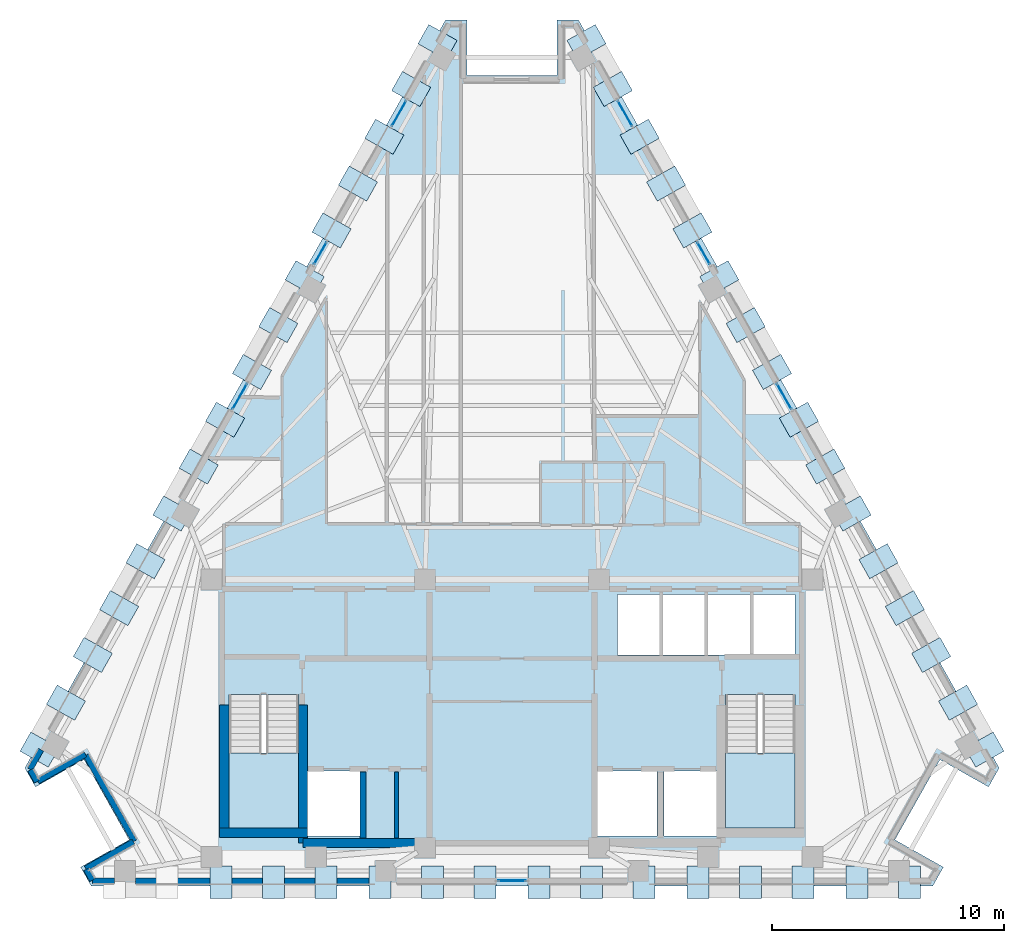
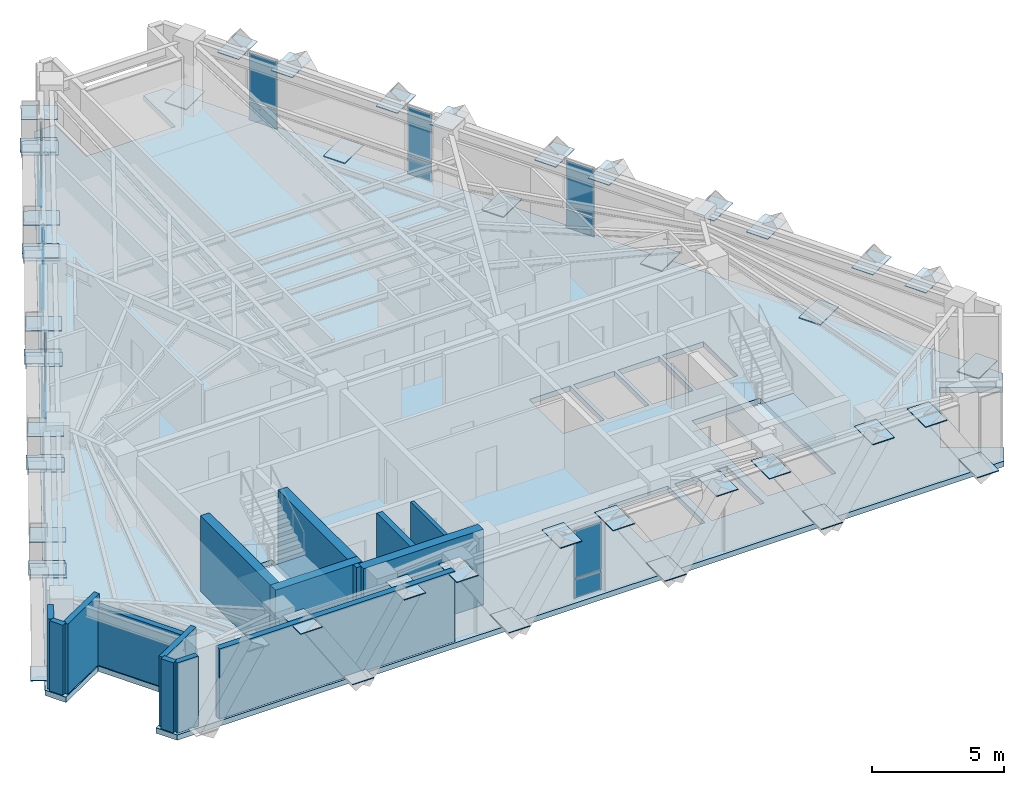
# One storey, part 6 of 12: 60 plates, 14 walls, 3 slabs, 9 elements without a shape of their own.
"""IFC4 building model written with IfcOpenShell, lengths in metres."""

from ifc_helpers import new_model, si_unit, direction, frame, frame_2d, origin, origin_2d, place, context, subcontext, project, spatial, polyline, rectangle, outline, extrude, material, layer, layer_set, type_object, element, aggregate, save


model = new_model("IFC4")

# Units and contexts
model_context = context("Model", 3, precision=1e-05, world=origin(), true_north=direction((0.0, 1.0)))
body_context = subcontext(model_context, "Body", "Model", "MODEL_VIEW")
ifc_project = project(units=[si_unit("LENGTHUNIT", "METRE"), si_unit("AREAUNIT", "SQUARE_METRE"), si_unit("VOLUMEUNIT", "CUBIC_METRE"), si_unit("PLANEANGLEUNIT", "RADIAN"), si_unit("MASSUNIT", "GRAM", prefix="KILO")], contexts=[model_context])

# Site, building, storey
site_placement = place(None, origin())
site = spatial("IfcSite", under=ifc_project, at=site_placement, CompositionType="ELEMENT")
building_placement = place(site_placement, origin())
building = spatial("IfcBuilding", under=site, at=building_placement, Name="Quenlor Broadcast Tower", CompositionType="ELEMENT")
storey_placement = place(building_placement, frame((0.0, 0.0, 190.39990234375)))
storey = spatial("IfcBuildingStorey", under=building, at=storey_placement, Name="L52", CompositionType="ELEMENT", Elevation=190.39990234375)

# Curtain wall, plates
ifc_material_1 = material(Name="Architectural Terracotta and Low-E Glazing", Category="masonry")
curtain_wall_type = type_object("IfcCurtainWallType", Name="Unitised Terracotta Curtain Wall System Z4", PredefinedType="NOTDEFINED", material=ifc_material_1)
curtain_wall_1_placement = place(storey_placement, origin())
curtain_wall_1 = element("IfcCurtainWall", 1, at=curtain_wall_1_placement, inside=storey, type_object=curtain_wall_type, Name="L52 Curtain Wall CW4 (L52-S-G1)", PredefinedType="NOTDEFINED")
ifc_material_2 = material(Name="Double Glazed Low-E Solar Glass", Category="glass")
ifc_layer_1 = layer(ifc_material_2, 0.028076171875)
ifc_layer_set_1 = layer_set([ifc_layer_1], Name="CW4 Double Glazed Vision Panel 28")
plate_type_1 = type_object("IfcPlateType", Name="CW4 Double Glazed Vision Panel 28", PredefinedType="CURTAIN_PANEL", material=ifc_layer_set_1)
plate_1_placement = place(storey_placement, frame((0.0, -17.77490234375, 0.068359375), z_axis=(0.0, 0.0, 1.0), x_axis=(-1.0, 0.0, 0.0)))
plate_1 = element("IfcPlate", 2, at=plate_1_placement, type_object=plate_type_1, Name="CW4 panel 1.1", PredefinedType="CURTAIN_PANEL", context=body_context, shape_type="SweptSolid", body=[
    extrude(rectangle(XDim=1.188720703125, YDim=0.028076171875, at=origin_2d()), origin(), (0.0, 0.0, 1.0), 0.847900390625),
])
plate_2_placement = place(storey_placement, frame((0.0, -17.77490234375, 0.98388671875), z_axis=(0.0, 0.0, 1.0), x_axis=(-1.0, 0.0, 0.0)))
plate_2 = element("IfcPlate", 3, at=plate_2_placement, type_object=plate_type_1, Name="CW4 panel 1.2", PredefinedType="CURTAIN_PANEL", context=body_context, shape_type="SweptSolid", body=[
    extrude(rectangle(XDim=1.188720703125, YDim=0.028076171875, at=origin_2d()), origin(), (0.0, 0.0, 1.0), 2.197998046875),
])
aggregate(curtain_wall_1, [plate_1, plate_2])

curtain_wall_2_placement = place(storey_placement, origin())
curtain_wall_2 = element("IfcCurtainWall", 4, at=curtain_wall_2_placement, inside=storey, type_object=curtain_wall_type, Name="L52 Curtain Wall CW4 (L52-NEA-G1)", PredefinedType="NOTDEFINED")
plate_3_placement = place(storey_placement, frame((4.87060546875, 15.281982421875, 0.068359375), z_axis=(0.0, 0.0, 1.0), x_axis=(0.490288844266, -0.871560008943, 0.0)))
plate_3 = element("IfcPlate", 5, at=plate_3_placement, type_object=plate_type_1, Name="CW4 panel 1.1", PredefinedType="CURTAIN_PANEL", context=body_context, shape_type="SweptSolid", body=[
    extrude(rectangle(XDim=1.239990234375, YDim=0.028076171875, at=origin_2d()), origin(), (0.0, 0.0, 1.0), 0.847900390625),
])
plate_4_placement = place(storey_placement, frame((4.87060546875, 15.281982421875, 0.98388671875), z_axis=(0.0, 0.0, 1.0), x_axis=(0.490288844266, -0.871560008943, 0.0)))
plate_4 = element("IfcPlate", 6, at=plate_4_placement, type_object=plate_type_1, Name="CW4 panel 1.2", PredefinedType="CURTAIN_PANEL", context=body_context, shape_type="SweptSolid", body=[
    extrude(rectangle(XDim=1.239990234375, YDim=0.028076171875, at=origin_2d()), origin(), (0.0, 0.0, 1.0), 2.197998046875),
])
aggregate(curtain_wall_2, [plate_3, plate_4])

curtain_wall_3_placement = place(storey_placement, origin())
curtain_wall_3 = element("IfcCurtainWall", 7, at=curtain_wall_3_placement, inside=storey, type_object=curtain_wall_type, Name="L52 Curtain Wall CW4 (L52-NEA-G2)", PredefinedType="NOTDEFINED")
plate_5_placement = place(storey_placement, frame((8.257080078125, 9.26171875, 0.068359375), z_axis=(0.0, 0.0, 1.0), x_axis=(0.490292850918, -0.871557755022, 0.0)))
plate_5 = element("IfcPlate", 8, at=plate_5_placement, type_object=plate_type_1, Name="CW4 panel 1.1", PredefinedType="CURTAIN_PANEL", context=body_context, shape_type="SweptSolid", body=[
    extrude(rectangle(XDim=1.0654296875, YDim=0.028076171875, at=origin_2d()), origin(), (0.0, 0.0, 1.0), 0.847900390625),
])
plate_6_placement = place(storey_placement, frame((8.257080078125, 9.26171875, 0.98388671875), z_axis=(0.0, 0.0, 1.0), x_axis=(0.490292850918, -0.871557755022, 0.0)))
plate_6 = element("IfcPlate", 9, at=plate_6_placement, type_object=plate_type_1, Name="CW4 panel 1.2", PredefinedType="CURTAIN_PANEL", context=body_context, shape_type="SweptSolid", body=[
    extrude(rectangle(XDim=1.0654296875, YDim=0.028076171875, at=origin_2d()), origin(), (0.0, 0.0, 1.0), 2.197998046875),
])
aggregate(curtain_wall_3, [plate_5, plate_6])

curtain_wall_4_placement = place(storey_placement, origin())
curtain_wall_4 = element("IfcCurtainWall", 10, at=curtain_wall_4_placement, inside=storey, type_object=curtain_wall_type, Name="L52 Curtain Wall CW4 (L52-NE-G1)", PredefinedType="NOTDEFINED")
plate_7_placement = place(storey_placement, frame((11.72900390625, 3.089599609375, 0.068359375), z_axis=(0.0, 0.0, 1.0), x_axis=(0.490288844266, -0.871560008943, 0.0)))
plate_7 = element("IfcPlate", 11, at=plate_7_placement, type_object=plate_type_1, Name="CW4 panel 1.1", PredefinedType="CURTAIN_PANEL", context=body_context, shape_type="SweptSolid", body=[
    extrude(rectangle(XDim=1.239990234375, YDim=0.028076171875, at=origin_2d()), origin(), (0.0, 0.0, 1.0), 0.847900390625),
])
plate_8_placement = place(storey_placement, frame((11.72900390625, 3.089599609375, 0.98388671875), z_axis=(0.0, 0.0, 1.0), x_axis=(0.490288844266, -0.871560008943, 0.0)))
plate_8 = element("IfcPlate", 12, at=plate_8_placement, type_object=plate_type_1, Name="CW4 panel 1.2", PredefinedType="CURTAIN_PANEL", context=body_context, shape_type="SweptSolid", body=[
    extrude(rectangle(XDim=1.239990234375, YDim=0.028076171875, at=origin_2d()), origin(), (0.0, 0.0, 1.0), 2.197998046875),
])
aggregate(curtain_wall_4, [plate_7, plate_8])

curtain_wall_5_placement = place(storey_placement, origin())
curtain_wall_5 = element("IfcCurtainWall", 13, at=curtain_wall_5_placement, inside=storey, type_object=curtain_wall_type, Name="L52 Curtain Wall CW4 (L52-NWC-G1)", PredefinedType="NOTDEFINED")
plate_9_placement = place(storey_placement, frame((-8.257080078125, 9.26171875, 0.068359375), z_axis=(0.0, 0.0, 1.0), x_axis=(0.490292850918, 0.871557755022, 0.0)))
plate_9 = element("IfcPlate", 14, at=plate_9_placement, type_object=plate_type_1, Name="CW4 panel 1.1", PredefinedType="CURTAIN_PANEL", context=body_context, shape_type="SweptSolid", body=[
    extrude(rectangle(XDim=1.0654296875, YDim=0.028076171875, at=origin_2d()), origin(), (0.0, 0.0, 1.0), 0.847900390625),
])
plate_10_placement = place(storey_placement, frame((-8.257080078125, 9.26171875, 0.98388671875), z_axis=(0.0, 0.0, 1.0), x_axis=(0.490292850918, 0.871557755022, 0.0)))
plate_10 = element("IfcPlate", 15, at=plate_10_placement, type_object=plate_type_1, Name="CW4 panel 1.2", PredefinedType="CURTAIN_PANEL", context=body_context, shape_type="SweptSolid", body=[
    extrude(rectangle(XDim=1.0654296875, YDim=0.028076171875, at=origin_2d()), origin(), (0.0, 0.0, 1.0), 2.197998046875),
])
aggregate(curtain_wall_5, [plate_9, plate_10])

curtain_wall_6_placement = place(storey_placement, origin())
curtain_wall_6 = element("IfcCurtainWall", 16, at=curtain_wall_6_placement, inside=storey, type_object=curtain_wall_type, Name="L52 Curtain Wall CW4 (L52-NWC-G2)", PredefinedType="NOTDEFINED")
plate_11_placement = place(storey_placement, frame((-4.87060546875, 15.281982421875, 0.068359375), z_axis=(0.0, 0.0, 1.0), x_axis=(0.490288844266, 0.871560008943, 0.0)))
plate_11 = element("IfcPlate", 17, at=plate_11_placement, type_object=plate_type_1, Name="CW4 panel 1.1", PredefinedType="CURTAIN_PANEL", context=body_context, shape_type="SweptSolid", body=[
    extrude(rectangle(XDim=1.239990234375, YDim=0.028076171875, at=origin_2d()), origin(), (0.0, 0.0, 1.0), 0.847900390625),
])
plate_12_placement = place(storey_placement, frame((-4.87060546875, 15.281982421875, 0.98388671875), z_axis=(0.0, 0.0, 1.0), x_axis=(0.490288844266, 0.871560008943, 0.0)))
plate_12 = element("IfcPlate", 18, at=plate_12_placement, type_object=plate_type_1, Name="CW4 panel 1.2", PredefinedType="CURTAIN_PANEL", context=body_context, shape_type="SweptSolid", body=[
    extrude(rectangle(XDim=1.239990234375, YDim=0.028076171875, at=origin_2d()), origin(), (0.0, 0.0, 1.0), 2.197998046875),
])
aggregate(curtain_wall_6, [plate_11, plate_12])

curtain_wall_7_placement = place(storey_placement, origin())
curtain_wall_7 = element("IfcCurtainWall", 19, at=curtain_wall_7_placement, inside=storey, type_object=curtain_wall_type, Name="L52 Curtain Wall CW4 (L52-NW-G1)", PredefinedType="NOTDEFINED")
plate_13_placement = place(storey_placement, frame((-11.72900390625, 3.089599609375, 0.068359375), z_axis=(0.0, 0.0, 1.0), x_axis=(0.490288844266, 0.871560008943, 0.0)))
plate_13 = element("IfcPlate", 20, at=plate_13_placement, type_object=plate_type_1, Name="CW4 panel 1.1", PredefinedType="CURTAIN_PANEL", context=body_context, shape_type="SweptSolid", body=[
    extrude(rectangle(XDim=1.239990234375, YDim=0.028076171875, at=origin_2d()), origin(), (0.0, 0.0, 1.0), 0.847900390625),
])
plate_14_placement = place(storey_placement, frame((-11.72900390625, 3.089599609375, 0.98388671875), z_axis=(0.0, 0.0, 1.0), x_axis=(0.490288844266, 0.871560008943, 0.0)))
plate_14 = element("IfcPlate", 21, at=plate_14_placement, type_object=plate_type_1, Name="CW4 panel 1.2", PredefinedType="CURTAIN_PANEL", context=body_context, shape_type="SweptSolid", body=[
    extrude(rectangle(XDim=1.239990234375, YDim=0.028076171875, at=origin_2d()), origin(), (0.0, 0.0, 1.0), 2.197998046875),
])
aggregate(curtain_wall_7, [plate_13, plate_14])

# Stair, slab
ifc_material_3 = material(Name="Precast concrete C40/50", Category="concrete")
stair_type = type_object("IfcStairType", Name="Precast Concrete C40/50 Dogleg Stair H350", PredefinedType="HALF_TURN_STAIR", material=ifc_material_3)
stair_1_placement = place(storey_placement, origin())
stair_1 = element("IfcStair", 22, at=stair_1_placement, inside=storey, type_object=stair_type, Name="L52 West Core Fire-Isolated Exit Stair ST-1", PredefinedType="HALF_TURN_STAIR")
ifc_material_4 = material(Name="Precast concrete C40/50", Category="concrete")
ifc_layer_2 = layer(ifc_material_4, 0.199951171875)
ifc_layer_set_2 = layer_set([ifc_layer_2], Name="Precast Concrete C40/50 Stair Landing Slab 200")
slab_type_1 = type_object("IfcSlabType", Name="Precast Concrete C40/50 Stair Landing Slab 200", PredefinedType="LANDING", material=ifc_layer_set_2)
slab_1_placement = place(storey_placement, frame((0.0, 0.0, 1.550048828125)))
slab_1 = element("IfcSlab", 23, at=slab_1_placement, type_object=slab_type_1, Name="ST-1 landing 1", PredefinedType="LANDING", context=body_context, shape_type="SweptSolid", body=[
    extrude(outline(polyline([(-12.199951171875, -12.27001953125), (-12.199951171875, -15.5), (-9.199951171875, -15.5), (-9.199951171875, -12.27001953125), (-12.199951171875, -12.27001953125)])), origin(), (0.0, 0.0, 1.0), 0.199951171875),
])
aggregate(stair_1, [slab_1])

stair_2_placement = place(storey_placement, origin())
stair_2 = element("IfcStair", 24, at=stair_2_placement, inside=storey, type_object=stair_type, Name="L52 East Core Fire-Isolated Exit Stair ST-2", PredefinedType="HALF_TURN_STAIR")
slab_2_placement = place(storey_placement, frame((0.0, 0.0, 1.550048828125)))
slab_2 = element("IfcSlab", 25, at=slab_2_placement, type_object=slab_type_1, Name="ST-2 landing 1", PredefinedType="LANDING", context=body_context, shape_type="SweptSolid", body=[
    extrude(outline(polyline([(9.199951171875, -12.27001953125), (9.199951171875, -15.5), (12.199951171875, -15.5), (12.199951171875, -12.27001953125), (9.199951171875, -12.27001953125)])), origin(), (0.0, 0.0, 1.0), 0.199951171875),
])
aggregate(stair_2, [slab_2])

# Slab
ifc_material_5 = material(Name="Concrete C40/50", Category="concrete")
ifc_layer_3 = layer(ifc_material_5, 0.25)
ifc_layer_set_3 = layer_set([ifc_layer_3], Name="Tower Composite Concrete C40/50 Slab 250")
slab_type_2 = type_object("IfcSlabType", Name="Tower Composite Concrete C40/50 Slab 250", PredefinedType="FLOOR", material=ifc_layer_set_3)
slab_3_placement = place(storey_placement, frame((0.0, 0.0, -0.25)))
element("IfcSlab", 26, at=slab_3_placement, inside=storey, type_object=slab_type_2, Name="L52 Structural Floor Slab", PredefinedType="FLOOR", context=body_context, shape_type="SweptSolid", body=[
    extrude(outline(polyline([(18.1259765625, -18.0), (18.583984375, -17.185791015625), (16.4921875, -16.00927734375), (18.438232421875, -12.549560546875), (20.530029296875, -13.72607421875), (20.988037109375, -12.912109375), (2.862060546875, 19.31201171875), (1.9462890625, 19.31201171875), (1.9462890625, 16.912109375), (-1.9462890625, 16.912109375), (-1.9462890625, 19.31201171875), (-2.862060546875, 19.31201171875), (-20.988037109375, -12.912109375), (-20.530029296875, -13.72607421875), (-18.438232421875, -12.549560546875), (-16.4921875, -16.00927734375), (-18.583984375, -17.185791015625), (-18.1259765625, -18.0), (18.1259765625, -18.0)]), holes=[polyline([(-12.199951171875, -9.758056640625), (-12.199951171875, -15.5), (-9.199951171875, -15.5), (-9.199951171875, -9.758056640625), (-12.199951171875, -9.758056640625)]), polyline([(9.199951171875, -9.758056640625), (9.199951171875, -15.5), (12.199951171875, -15.5), (12.199951171875, -9.758056640625), (9.199951171875, -9.758056640625)]), polyline([(4.550048828125, -8.050048828125), (6.35009765625, -8.050048828125), (6.35009765625, -5.449951171875), (4.550048828125, -5.449951171875), (4.550048828125, -8.050048828125)]), polyline([(6.5, -8.050048828125), (8.300048828125, -8.050048828125), (8.300048828125, -5.449951171875), (6.5, -5.449951171875), (6.5, -8.050048828125)]), polyline([(8.449951171875, -8.050048828125), (10.25, -8.050048828125), (10.25, -5.449951171875), (8.449951171875, -5.449951171875), (8.449951171875, -8.050048828125)]), polyline([(10.39990234375, -8.050048828125), (12.199951171875, -8.050048828125), (12.199951171875, -5.449951171875), (10.39990234375, -5.449951171875), (10.39990234375, -8.050048828125)]), polyline([(-8.85009765625, -15.85009765625), (-6.550048828125, -15.85009765625), (-6.550048828125, -13.050048828125), (-8.85009765625, -13.050048828125), (-8.85009765625, -15.85009765625)]), polyline([(6.550048828125, -15.85009765625), (8.85009765625, -15.85009765625), (8.85009765625, -13.050048828125), (6.550048828125, -13.050048828125), (6.550048828125, -15.85009765625)]), polyline([(3.64990234375, -15.85009765625), (6.25, -15.85009765625), (6.25, -13.050048828125), (3.64990234375, -13.050048828125), (3.64990234375, -15.85009765625)])]), origin(), (0.0, 0.0, 1.0), 0.25),
])

# Plates
ifc_material_6 = material(Name="Steel S355", Category="steel")
ifc_layer_4 = layer(ifc_material_6, 0.035888671875)
ifc_layer_set_4 = layer_set([ifc_layer_4], Name="Transfer Truss Steel S355 Gusset Node Plate 1400x950x36")
plate_type_2 = type_object("IfcPlateType", Name="Transfer Truss Steel S355 Gusset Node Plate 1400x950x36", PredefinedType="SHEET", material=ifc_layer_set_4)
for number, where, z_axis, x_axis, name in (
    (27, (17.1259765625, -17.8349609375, 0.0419921875), (0.0, 0.0, 1.0), (0.0, -1.0, 0.0), "L52 Lattice Tie Gusset Node S-B0"),
    (28, (14.856201171875, -17.8349609375, 3.18212890625), (0.0, 0.0, 1.0), (0.0, -1.0, 0.0), "L52 Lattice Tie Gusset Node S-T1"),
    (29, (10.275634765625, -17.8349609375, 0.0419921875), (0.0, 0.0, 1.0), (0.0, -1.0, 0.0), "L52 Lattice Tie Gusset Node S-B3"),
    (30, (12.54541015625, -17.8349609375, 3.18212890625), (0.0, 0.0, 1.0), (0.0, -1.0, 0.0), "L52 Lattice Tie Gusset Node S-T2"),
    (31, (8.005859375, -17.8349609375, 3.18212890625), (0.0, 0.0, 1.0), (0.0, -1.0, 0.0), "L52 Lattice Tie Gusset Node S-T4"),
    (32, (3.42529296875, -17.8349609375, 0.0419921875), (0.0, 0.0, 1.0), (0.0, -1.0, 0.0), "L52 Lattice Tie Gusset Node S-B6"),
    (33, (5.695068359375, -17.8349609375, 3.18212890625), (0.0, 0.0, 1.0), (0.0, -1.0, 0.0), "L52 Lattice Tie Gusset Node S-T5"),
    (34, (1.155517578125, -17.8349609375, 3.18212890625), (0.0, 0.0, 1.0), (0.0, -1.0, 0.0), "L52 Lattice Tie Gusset Node S-T7"),
    (35, (-3.42529296875, -17.8349609375, 0.0419921875), (0.0, 0.0, 1.0), (0.0, -1.0, 0.0), "L52 Lattice Tie Gusset Node S-B9"),
    (36, (-1.155517578125, -17.8349609375, 3.18212890625), (0.0, 0.0, 1.0), (0.0, -1.0, 0.0), "L52 Lattice Tie Gusset Node S-T8"),
    (37, (-5.695068359375, -17.8349609375, 3.18212890625), (0.0, 0.0, 1.0), (0.0, -1.0, 0.0), "L52 Lattice Tie Gusset Node S-T10"),
    (38, (-10.275634765625, -17.8349609375, 0.0419921875), (0.0, 0.0, 1.0), (0.0, -1.0, 0.0), "L52 Lattice Tie Gusset Node S-B12"),
    (39, (-8.005859375, -17.8349609375, 3.18212890625), (0.0, 0.0, 1.0), (0.0, -1.0, 0.0), "L52 Lattice Tie Gusset Node S-T11"),
    (40, (-12.54541015625, -17.8349609375, 3.18212890625), (0.0, 0.0, 1.0), (0.0, -1.0, 0.0), "L52 Lattice Tie Gusset Node S-T13"),
    (41, (3.20849609375, 18.359619140625, 0.0419921875), (0.0, 0.0, 1.0), (0.871556314255, 0.490295412055, 0.0), "L52 Lattice Tie Gusset Node NE-B0"),
    (42, (4.344482421875, 16.339599609375, 3.18212890625), (0.0, 0.0, 1.0), (0.871556314255, 0.490295412055, 0.0), "L52 Lattice Tie Gusset Node NE-T1"),
    (43, (6.6376953125, 12.263427734375, 0.0419921875), (0.0, 0.0, 1.0), (0.871556314255, 0.490295412055, 0.0), "L52 Lattice Tie Gusset Node NE-B3"),
    (44, (5.50146484375, 14.283203125, 3.18212890625), (0.0, 0.0, 1.0), (0.871556314255, 0.490295412055, 0.0), "L52 Lattice Tie Gusset Node NE-T2"),
    (45, (7.773681640625, 10.243408203125, 3.18212890625), (0.0, 0.0, 1.0), (0.871556314255, 0.490295412055, 0.0), "L52 Lattice Tie Gusset Node NE-T4"),
    (46, (10.066650390625, 6.167236328125, 0.0419921875), (0.0, 0.0, 1.0), (0.871556314255, 0.490295412055, 0.0), "L52 Lattice Tie Gusset Node NE-B6"),
    (47, (8.930419921875, 8.18701171875, 3.18212890625), (0.0, 0.0, 1.0), (0.871556314255, 0.490295412055, 0.0), "L52 Lattice Tie Gusset Node NE-T5"),
    (48, (11.202880859375, 4.147216796875, 3.18212890625), (0.0, 0.0, 1.0), (0.871556314255, 0.490295412055, 0.0), "L52 Lattice Tie Gusset Node NE-T7"),
    (49, (13.49560546875, 0.071044921875, 0.0419921875), (0.0, 0.0, 1.0), (0.871556314255, 0.490295412055, 0.0), "L52 Lattice Tie Gusset Node NE-B9"),
    (50, (12.359619140625, 2.0908203125, 3.18212890625), (0.0, 0.0, 1.0), (0.871556314255, 0.490295412055, 0.0), "L52 Lattice Tie Gusset Node NE-T8"),
    (51, (14.6318359375, -1.94873046875, 3.18212890625), (0.0, 0.0, 1.0), (0.871556314255, 0.490295412055, 0.0), "L52 Lattice Tie Gusset Node NE-T10"),
    (52, (16.9248046875, -6.025146484375, 0.0419921875), (0.0, 0.0, 1.0), (0.871556314255, 0.490295412055, 0.0), "L52 Lattice Tie Gusset Node NE-B12"),
    (53, (15.788818359375, -4.00537109375, 3.18212890625), (0.0, 0.0, 1.0), (0.871556314255, 0.490295412055, 0.0), "L52 Lattice Tie Gusset Node NE-T11"),
    (54, (18.06103515625, -8.044921875, 3.18212890625), (0.0, 0.0, 1.0), (0.871556314255, 0.490295412055, 0.0), "L52 Lattice Tie Gusset Node NE-T13"),
    (55, (20.35400390625, -12.121337890625, 0.0419921875), (0.0, 0.0, 1.0), (0.871556314255, 0.490295412055, 0.0), "L52 Lattice Tie Gusset Node NE-B15"),
    (56, (19.2177734375, -10.101318359375, 3.18212890625), (0.0, 0.0, 1.0), (0.871556314255, 0.490295412055, 0.0), "L52 Lattice Tie Gusset Node NE-T14"),
    (57, (-20.35400390625, -12.121337890625, 0.0419921875), (0.0, 0.0, 1.0), (-0.871556314255, 0.490295412055, 0.0), "L52 Lattice Tie Gusset Node NW-B0"),
    (58, (-19.2177734375, -10.101318359375, 3.18212890625), (0.0, 0.0, 1.0), (-0.871556314255, 0.490295412055, 0.0), "L52 Lattice Tie Gusset Node NW-T1"),
    (59, (-16.9248046875, -6.025146484375, 0.0419921875), (0.0, 0.0, 1.0), (-0.871556314255, 0.490295412055, 0.0), "L52 Lattice Tie Gusset Node NW-B3"),
    (60, (-18.06103515625, -8.044921875, 3.18212890625), (0.0, 0.0, 1.0), (-0.871556314255, 0.490295412055, 0.0), "L52 Lattice Tie Gusset Node NW-T2"),
    (61, (-15.788818359375, -4.00537109375, 3.18212890625), (0.0, 0.0, 1.0), (-0.871556314255, 0.490295412055, 0.0), "L52 Lattice Tie Gusset Node NW-T4"),
    (62, (-13.49560546875, 0.071044921875, 0.0419921875), (0.0, 0.0, 1.0), (-0.871556314255, 0.490295412055, 0.0), "L52 Lattice Tie Gusset Node NW-B6"),
    (63, (-14.6318359375, -1.94873046875, 3.18212890625), (0.0, 0.0, 1.0), (-0.871556314255, 0.490295412055, 0.0), "L52 Lattice Tie Gusset Node NW-T5"),
    (64, (-12.359619140625, 2.0908203125, 3.18212890625), (0.0, 0.0, 1.0), (-0.871556314255, 0.490295412055, 0.0), "L52 Lattice Tie Gusset Node NW-T7"),
    (65, (-10.066650390625, 6.167236328125, 0.0419921875), (0.0, 0.0, 1.0), (-0.871556314255, 0.490295412055, 0.0), "L52 Lattice Tie Gusset Node NW-B9"),
    (66, (-11.202880859375, 4.147216796875, 3.18212890625), (0.0, 0.0, 1.0), (-0.871556314255, 0.490295412055, 0.0), "L52 Lattice Tie Gusset Node NW-T8"),
    (67, (-8.930419921875, 8.18701171875, 3.18212890625), (0.0, 0.0, 1.0), (-0.871556314255, 0.490295412055, 0.0), "L52 Lattice Tie Gusset Node NW-T10"),
    (68, (-6.6376953125, 12.263427734375, 0.0419921875), (0.0, 0.0, 1.0), (-0.871556314255, 0.490295412055, 0.0), "L52 Lattice Tie Gusset Node NW-B12"),
    (69, (-7.773681640625, 10.243408203125, 3.18212890625), (0.0, 0.0, 1.0), (-0.871556314255, 0.490295412055, 0.0), "L52 Lattice Tie Gusset Node NW-T11"),
    (70, (-5.50146484375, 14.283203125, 3.18212890625), (0.0, 0.0, 1.0), (-0.871556314255, 0.490295412055, 0.0), "L52 Lattice Tie Gusset Node NW-T13"),
    (71, (-3.20849609375, 18.359619140625, 0.0419921875), (0.0, 0.0, 1.0), (-0.871556314255, 0.490295412055, 0.0), "L52 Lattice Tie Gusset Node NW-B15"),
    (72, (-4.344482421875, 16.339599609375, 3.18212890625), (0.0, 0.0, 1.0), (-0.871556314255, 0.490295412055, 0.0), "L52 Lattice Tie Gusset Node NW-T14"),
):
    element("IfcPlate", number, at=place(storey_placement, frame(where, z_axis=z_axis, x_axis=x_axis)), inside=storey, type_object=plate_type_2, Name=name, PredefinedType="SHEET", context=body_context, shape_type="SweptSolid", body=[
        extrude(rectangle(XDim=1.39990234375, YDim=0.949951171875, at=origin_2d()), origin(), (0.0, 0.0, 1.0), 0.035888671875),
    ])

# Walls
ifc_material_7 = material(Name="Concrete C50/60", Category="concrete")
ifc_layer_5 = layer(ifc_material_7, 0.39990234375)
ifc_layer_set_5 = layer_set([ifc_layer_5], Name="Core Concrete C50/60 Shear Wall 400")
wall_type_1 = type_object("IfcWallType", Name="Core Concrete C50/60 Shear Wall 400", PredefinedType="SHEAR", material=ifc_layer_set_5)
wall_1_placement = place(storey_placement, frame((-12.60009765625, -15.699951171875, 0.0), z_axis=(0.0, 0.0, 1.0), x_axis=(1.0, 0.0, 0.0)))
element("IfcWall", 73, at=wall_1_placement, inside=storey, type_object=wall_type_1, Name="L52 Core Shear Wall WS-W1", PredefinedType="SHEAR", context=body_context, shape_type="SweptSolid", body=[
    extrude(rectangle(XDim=3.800048828125, YDim=0.39990234375, at=frame_2d((1.89990234375, 0.0))), origin(), (0.0, 0.0, 1.0), 3.5),
])
wall_2_placement = place(storey_placement, frame((-9.0, -16.14990234375, 0.0), z_axis=(0.0, 0.0, 1.0), x_axis=(1.0, 0.0, 0.0)))
element("IfcWall", 74, at=wall_2_placement, inside=storey, type_object=wall_type_1, Name="L52 Core Shear Wall WS-W2", PredefinedType="SHEAR", context=body_context, shape_type="SweptSolid", body=[
    extrude(rectangle(XDim=5.25, YDim=0.39990234375, at=frame_2d((2.625, 0.0))), origin(), (0.0, 0.0, 1.0), 3.5),
])
wall_3_placement = place(storey_placement, frame((-12.39990234375, -15.699951171875, 0.0), z_axis=(0.0, 0.0, 1.0), x_axis=(0.0, 1.0, 0.0)))
element("IfcWall", 75, at=wall_3_placement, inside=storey, type_object=wall_type_1, Name="L52 Core Shear Wall WF-W", PredefinedType="SHEAR", context=body_context, shape_type="SweptSolid", body=[
    extrude(rectangle(XDim=5.5, YDim=0.39990234375, at=frame_2d((2.75, 0.0))), origin(), (0.0, 0.0, 1.0), 3.5),
])
wall_4_placement = place(storey_placement, frame((-9.0, -16.14990234375, 0.0), z_axis=(0.0, 0.0, 1.0), x_axis=(0.0, 1.0, 0.0)))
element("IfcWall", 76, at=wall_4_placement, inside=storey, type_object=wall_type_1, Name="L52 Core Shear Wall WI-W", PredefinedType="SHEAR", context=body_context, shape_type="SweptSolid", body=[
    extrude(rectangle(XDim=5.949951171875, YDim=0.39990234375, at=frame_2d((2.97509765625, 0.0))), origin(), (0.0, 0.0, 1.0), 3.5),
])
ifc_material_8 = material(Name="Concrete C40/50", Category="concrete")
ifc_layer_6 = layer(ifc_material_8, 0.25)
ifc_layer_set_6 = layer_set([ifc_layer_6], Name="Fire Rated Concrete C40/50 Core Wall 250")
wall_type_2 = type_object("IfcWallType", Name="Fire Rated Concrete C40/50 Core Wall 250", PredefinedType="PARTITIONING", material=ifc_layer_set_6)
wall_5_placement = place(storey_placement, frame((-6.419921875, -15.919921875, 0.0), z_axis=(0.0, 0.0, 1.0), x_axis=(0.0, 1.0, 0.0)))
element("IfcWall", 77, at=wall_5_placement, inside=storey, type_object=wall_type_2, Name="L52 Interior Wall CW-FF1-E", PredefinedType="PARTITIONING", context=body_context, shape_type="SweptSolid", body=[
    extrude(rectangle(XDim=2.829833984375, YDim=0.25, at=frame_2d((1.4150390625, 0.0))), origin(), (0.0, 0.0, 1.0), 3.25),
])
ifc_material_9 = material(Name="Gypsum Fireboard Partition", Category="other")
ifc_layer_7 = layer(ifc_material_9, 0.159912109375)
ifc_layer_set_7 = layer_set([ifc_layer_7], Name="Fire Rated Shaft and Corridor Partition 160")
wall_type_3 = type_object("IfcWallType", Name="Fire Rated Shaft and Corridor Partition 160", PredefinedType="PARTITIONING", material=ifc_layer_set_7)
wall_6_placement = place(storey_placement, frame((-4.97998046875, -15.919921875, 0.0), z_axis=(0.0, 0.0, 1.0), x_axis=(0.0, 1.0, 0.0)))
element("IfcWall", 78, at=wall_6_placement, inside=storey, type_object=wall_type_3, Name="L52 Interior Wall CW-ELR-E", PredefinedType="PARTITIONING", context=body_context, shape_type="SweptSolid", body=[
    extrude(rectangle(XDim=2.829833984375, YDim=0.159912109375, at=frame_2d((1.4150390625, 0.0))), origin(), (0.0, 0.0, 1.0), 3.25),
])
ifc_material_10 = material(Name="Precast concrete C40/50", Category="concrete")
ifc_layer_8 = layer(ifc_material_10, 0.239990234375)
ifc_layer_set_8 = layer_set([ifc_layer_8], Name="Terrace Threshold Precast Concrete C40/50 Wall 240")
wall_type_4 = type_object("IfcWallType", Name="Terrace Threshold Precast Concrete C40/50 Wall 240", PredefinedType="STANDARD", material=ifc_layer_set_8)
wall_7_placement = place(storey_placement, frame((-17.130859375, -17.77490234375, 0.0), z_axis=(0.0, 0.0, 1.0), x_axis=(-1.0, 0.0, 0.0)))
element("IfcWall", 79, at=wall_7_placement, inside=storey, type_object=wall_type_4, Name="L52 Exterior Wall L52-SHD-SS1", PredefinedType="STANDARD", context=body_context, shape_type="SweptSolid", body=[
    extrude(rectangle(XDim=0.93505859375, YDim=0.239990234375, at=frame_2d((0.467529296875, 0.0))), origin(), (0.0, 0.0, 1.0), 3.25),
])
wall_8_placement = place(storey_placement, frame((-20.762451171875, -12.969970703125, 0.0), z_axis=(0.0, 0.0, 1.0), x_axis=(0.490345412687, 0.87152818443, 0.0)))
element("IfcWall", 80, at=wall_8_placement, inside=storey, type_object=wall_type_4, Name="L52 Exterior Wall L52-SHD-NWS0", PredefinedType="STANDARD", context=body_context, shape_type="SweptSolid", body=[
    extrude(rectangle(XDim=0.9638671875, YDim=0.239990234375, at=frame_2d((0.48193359375, 0.0))), origin(), (0.0, 0.0, 1.0), 3.25),
])
wall_9_placement = place(storey_placement, frame((-20.75537109375, -12.999267578125, 0.0), z_axis=(0.0, 0.0, 1.0), x_axis=(0.490320776404, -0.871542045014, 0.0)))
element("IfcWall", 81, at=wall_9_placement, inside=storey, type_object=wall_type_4, Name="L52 Exterior Wall L52-CNR-12", PredefinedType="STANDARD", context=body_context, shape_type="SweptSolid", body=[
    extrude(rectangle(XDim=0.583984375, YDim=0.239990234375, at=frame_2d((0.2919921875, 0.0))), origin(), (0.0, 0.0, 1.0), 3.25),
])
wall_10_placement = place(storey_placement, frame((-20.43408203125, -13.488525390625, 0.0), z_axis=(0.0, 0.0, 1.0), x_axis=(0.871578299909, 0.490256327984, 0.0)))
element("IfcWall", 82, at=wall_10_placement, inside=storey, type_object=wall_type_4, Name="L52 Exterior Wall L52-CNR-13", PredefinedType="STANDARD", context=body_context, shape_type="SweptSolid", body=[
    extrude(rectangle(XDim=2.35986328125, YDim=0.239990234375, at=frame_2d((1.179931640625, 0.0))), origin(), (0.0, 0.0, 1.0), 3.25),
])
wall_11_placement = place(storey_placement, frame((-18.357666015625, -12.366455078125, 0.0), z_axis=(0.0, 0.0, 1.0), x_axis=(0.49027487746, -0.871567865706, 0.0)))
element("IfcWall", 83, at=wall_11_placement, inside=storey, type_object=wall_type_4, Name="L52 Exterior Wall L52-CNR-14", PredefinedType="STANDARD", context=body_context, shape_type="SweptSolid", body=[
    extrude(rectangle(XDim=4.249755859375, YDim=0.239990234375, at=frame_2d((2.125, 0.0))), origin(), (0.0, 0.0, 1.0), 2.721923828125),
])
wall_12_placement = place(storey_placement, frame((-16.30908203125, -16.08984375, 0.0), z_axis=(0.0, 0.0, 1.0), x_axis=(-0.871578299909, -0.490256327984, 0.0)))
element("IfcWall", 84, at=wall_12_placement, inside=storey, type_object=wall_type_4, Name="L52 Exterior Wall L52-CNR-15", PredefinedType="STANDARD", context=body_context, shape_type="SweptSolid", body=[
    extrude(rectangle(XDim=2.35986328125, YDim=0.239990234375, at=frame_2d((1.179931640625, 0.0))), origin(), (0.0, 0.0, 1.0), 3.25),
])
wall_13_placement = place(storey_placement, frame((-18.346435546875, -17.28173828125, 0.0), z_axis=(0.0, 0.0, 1.0), x_axis=(0.49038986747, -0.87150317147, 0.0)))
element("IfcWall", 85, at=wall_13_placement, inside=storey, type_object=wall_type_4, Name="L52 Exterior Wall L52-CNR-16", PredefinedType="STANDARD", context=body_context, shape_type="SweptSolid", body=[
    extrude(rectangle(XDim=0.540771484375, YDim=0.239990234375, at=frame_2d((0.2705078125, 0.0))), origin(), (0.0, 0.0, 1.0), 3.25),
])
ifc_material_11 = material(Name="Precast concrete C40/50", Category="concrete")
ifc_layer_9 = layer(ifc_material_11, 0.260009765625)
ifc_layer_set_9 = layer_set([ifc_layer_9], Name="Terracotta Precast Concrete C40/50 Upper Wall 260")
wall_type_5 = type_object("IfcWallType", Name="Terracotta Precast Concrete C40/50 Upper Wall 260", PredefinedType="STANDARD", material=ifc_layer_set_9)
wall_14_placement = place(storey_placement, frame((-5.892822265625, -17.77490234375, 0.0), z_axis=(0.0, 0.0, 1.0), x_axis=(-1.0, 0.0, 0.0)))
element("IfcWall", 86, at=wall_14_placement, inside=storey, type_object=wall_type_5, Name="L52 Exterior Wall L52-EW-SC", PredefinedType="STANDARD", context=body_context, shape_type="SweptSolid", body=[
    extrude(rectangle(XDim=10.328125, YDim=0.260009765625, at=frame_2d((5.1640625, 0.0))), origin(), (0.0, 0.0, 1.0), 3.25),
])

save(model, "model.ifc")
